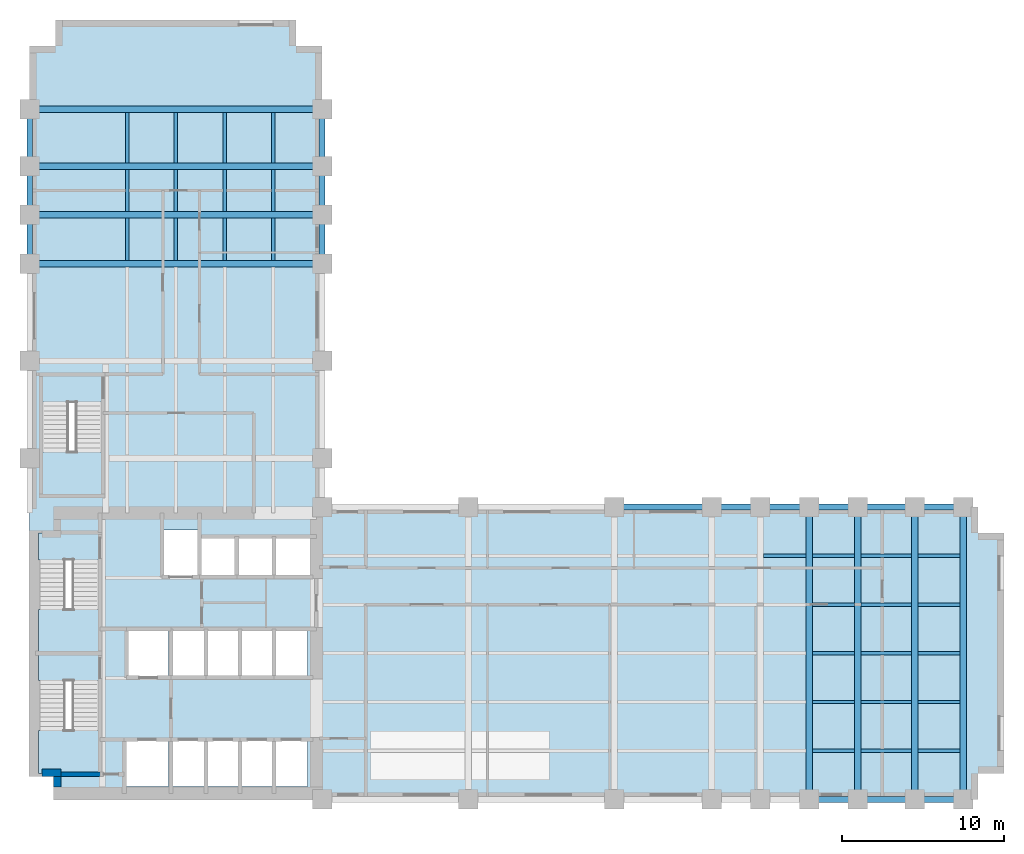
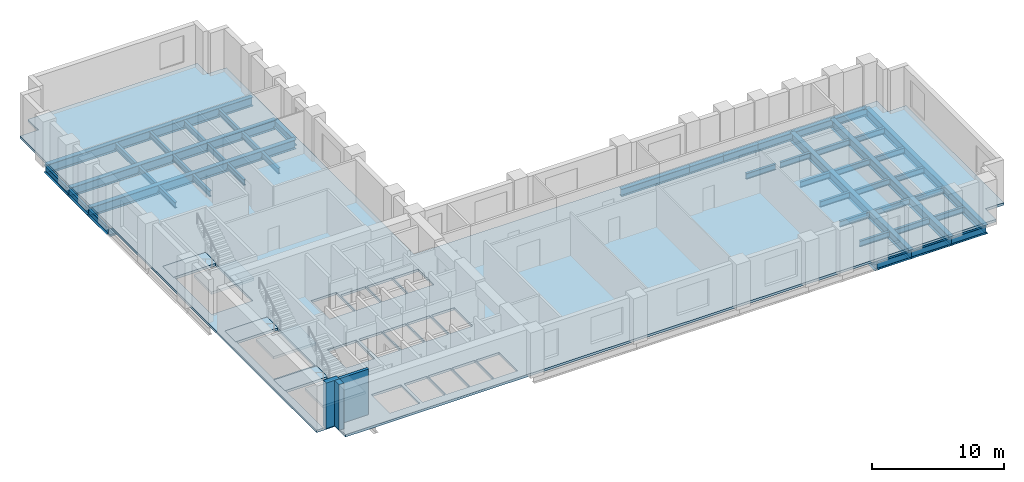
# One storey, part 2 of 7: 51 beams, 7 slabs, 3 walls, 3 elements without a shape of their own.
"""IFC4 building model written with IfcOpenShell, lengths in metres."""

from ifc_helpers import new_model, si_unit, direction, frame, frame_2d, origin, origin_2d, place, context, subcontext, project, spatial, polyline, rectangle, i_section, outline, extrude, material, layer, layer_set, material_profile, profile_set, type_object, element, aggregate, save


model = new_model("IFC4")

# Units and contexts
model_context = context("Model", 3, precision=1e-05, world=origin(), true_north=direction((0.0, 1.0)))
body_context = subcontext(model_context, "Body", "Model", "MODEL_VIEW")
ifc_project = project(units=[si_unit("LENGTHUNIT", "METRE"), si_unit("AREAUNIT", "SQUARE_METRE"), si_unit("VOLUMEUNIT", "CUBIC_METRE"), si_unit("PLANEANGLEUNIT", "RADIAN"), si_unit("MASSUNIT", "GRAM", prefix="KILO")], contexts=[model_context])

# Site, building, storey
site_placement = place(None, origin())
site = spatial("IfcSite", under=ifc_project, at=site_placement, CompositionType="ELEMENT")
building_placement = place(site_placement, origin())
building = spatial("IfcBuilding", under=site, at=building_placement, Name="Mawjdan Bourse Tower", CompositionType="ELEMENT")
storey_placement = place(building_placement, frame((0.0, 0.0, 72.0)))
storey = spatial("IfcBuildingStorey", under=building, at=storey_placement, Name="L16", CompositionType="ELEMENT", Elevation=72.0)

# Beams
ifc_material_1 = material(Name="Structural Steel S355", Category="steel")
ifc_material_profile_1 = material_profile(ifc_material_1, i_section(OverallWidth=0.39892578125, OverallDepth=0.85595703125, WebThickness=0.018310546875, FlangeThickness=0.029296875, FilletRadius=0.0234375, at=origin_2d()), Name="W33X201")
ifc_profile_set_1 = profile_set([ifc_material_profile_1], Name="Structural Steel S355")
beam_type_1 = type_object("IfcBeamType", Name="GRD-W33X201", PredefinedType="BEAM", material=ifc_profile_set_1)
for number, where, z_axis, x_axis, name in (
    (1, (54.0, 3.0, -0.64794921875), (0.0, 1.0, 0.0), (-1.0, 0.0, 0.0), "L16 East Wing Clear-Span Girder 006"),
    (2, (57.0, 3.0, -0.64794921875), (0.0, 1.0, 0.0), (-1.0, 0.0, 0.0), "L16 East Wing Clear-Span Girder 007"),
    (3, (60.5, 3.0, -0.64794921875), (0.0, 1.0, 0.0), (-1.0, 0.0, 0.0), "L16 East Wing Clear-Span Girder 008"),
    (4, (63.5, 3.0, -0.64794921875), (0.0, 1.0, 0.0), (-1.0, 0.0, 0.0), "L16 East Wing Clear-Span Girder 009"),
    (5, (6.0, 36.0, -0.64794921875), (1.0, 0.0, 0.0), (0.0, 1.0, 0.0), "L16 North Wing Clear-Span Girder 073"),
    (6, (6.0, 39.0, -0.64794921875), (1.0, 0.0, 0.0), (0.0, 1.0, 0.0), "L16 North Wing Clear-Span Girder 074"),
    (7, (6.0, 42.0, -0.64794921875), (1.0, 0.0, 0.0), (0.0, 1.0, 0.0), "L16 North Wing Clear-Span Girder 075"),
    (8, (6.0, 45.5, -0.64794921875), (1.0, 0.0, 0.0), (0.0, 1.0, 0.0), "L16 North Wing Clear-Span Girder 076"),
):
    element("IfcBeam", number, at=place(storey_placement, frame(where, z_axis=z_axis, x_axis=x_axis)), inside=storey, type_object=beam_type_1, Name=name, PredefinedType="BEAM", context=body_context, shape_type="SweptSolid", body=[
        extrude(i_section(OverallWidth=0.39892578125, OverallDepth=0.85595703125, WebThickness=0.018310546875, FlangeThickness=0.029296875, FilletRadius=0.0234375, at=origin_2d()), origin(), (0.0, 0.0, 1.0), 18.0),
    ])
ifc_material_profile_2 = material_profile(ifc_material_1, i_section(OverallWidth=0.2119140625, OverallDepth=0.5439453125, WebThickness=0.01318359375, FlangeThickness=0.021240234375, FilletRadius=0.01708984375, at=origin_2d()), Name="W21X83")
ifc_profile_set_2 = profile_set([ifc_material_profile_2], Name="Structural Steel S355")
beam_type_2 = type_object("IfcBeamType", Name="JST-W21X83", PredefinedType="JOIST", material=ifc_profile_set_2)
beam_1_placement = place(storey_placement, frame((54.197509765625, 6.0, -0.491943359375), z_axis=(1.0, 0.0, 0.0), x_axis=(0.0, 1.0, 0.0)))
element("IfcBeam", 9, at=beam_1_placement, inside=storey, type_object=beam_type_2, Name="L16 East Wing Composite Joist 031", PredefinedType="JOIST", context=body_context, shape_type="SweptSolid", body=[
    extrude(i_section(OverallWidth=0.2119140625, OverallDepth=0.5439453125, WebThickness=0.01318359375, FlangeThickness=0.021240234375, FilletRadius=0.01708984375, at=origin_2d()), origin(), (0.0, 0.0, 1.0), 2.60498046875),
])
beam_2_placement = place(storey_placement, frame((57.197509765625, 6.0, -0.491943359375), z_axis=(1.0, 0.0, 0.0), x_axis=(0.0, 1.0, 0.0)))
element("IfcBeam", 10, at=beam_2_placement, inside=storey, type_object=beam_type_2, Name="L16 East Wing Composite Joist 032", PredefinedType="JOIST", context=body_context, shape_type="SweptSolid", body=[
    extrude(i_section(OverallWidth=0.2119140625, OverallDepth=0.5439453125, WebThickness=0.01318359375, FlangeThickness=0.021240234375, FilletRadius=0.01708984375, at=origin_2d()), origin(), (0.0, 0.0, 1.0), 3.10498046875),
])
for number, where, z_axis, x_axis, name in (
    (11, (60.697509765625, 6.0, -0.491943359375), (1.0, 0.0, 0.0), (0.0, 1.0, 0.0), "L16 East Wing Composite Joist 033"),
    (12, (54.197509765625, 9.0, -0.491943359375), (1.0, 0.0, 0.0), (0.0, 1.0, 0.0), "L16 East Wing Composite Joist 039"),
):
    element("IfcBeam", number, at=place(storey_placement, frame(where, z_axis=z_axis, x_axis=x_axis)), inside=storey, type_object=beam_type_2, Name=name, PredefinedType="JOIST", context=body_context, shape_type="SweptSolid", body=[
        extrude(i_section(OverallWidth=0.2119140625, OverallDepth=0.5439453125, WebThickness=0.01318359375, FlangeThickness=0.021240234375, FilletRadius=0.01708984375, at=origin_2d()), origin(), (0.0, 0.0, 1.0), 2.60498046875),
    ])
beam_3_placement = place(storey_placement, frame((57.197509765625, 9.0, -0.491943359375), z_axis=(1.0, 0.0, 0.0), x_axis=(0.0, 1.0, 0.0)))
element("IfcBeam", 13, at=beam_3_placement, inside=storey, type_object=beam_type_2, Name="L16 East Wing Composite Joist 040", PredefinedType="JOIST", context=body_context, shape_type="SweptSolid", body=[
    extrude(i_section(OverallWidth=0.2119140625, OverallDepth=0.5439453125, WebThickness=0.01318359375, FlangeThickness=0.021240234375, FilletRadius=0.01708984375, at=origin_2d()), origin(), (0.0, 0.0, 1.0), 3.10498046875),
])
for number, where, z_axis, x_axis, name in (
    (14, (60.697509765625, 9.0, -0.491943359375), (1.0, 0.0, 0.0), (0.0, 1.0, 0.0), "L16 East Wing Composite Joist 041"),
    (15, (54.197509765625, 12.0, -0.491943359375), (1.0, 0.0, 0.0), (0.0, 1.0, 0.0), "L16 East Wing Composite Joist 047"),
):
    element("IfcBeam", number, at=place(storey_placement, frame(where, z_axis=z_axis, x_axis=x_axis)), inside=storey, type_object=beam_type_2, Name=name, PredefinedType="JOIST", context=body_context, shape_type="SweptSolid", body=[
        extrude(i_section(OverallWidth=0.2119140625, OverallDepth=0.5439453125, WebThickness=0.01318359375, FlangeThickness=0.021240234375, FilletRadius=0.01708984375, at=origin_2d()), origin(), (0.0, 0.0, 1.0), 2.60498046875),
    ])
beam_4_placement = place(storey_placement, frame((57.197509765625, 12.0, -0.491943359375), z_axis=(1.0, 0.0, 0.0), x_axis=(0.0, 1.0, 0.0)))
element("IfcBeam", 16, at=beam_4_placement, inside=storey, type_object=beam_type_2, Name="L16 East Wing Composite Joist 048", PredefinedType="JOIST", context=body_context, shape_type="SweptSolid", body=[
    extrude(i_section(OverallWidth=0.2119140625, OverallDepth=0.5439453125, WebThickness=0.01318359375, FlangeThickness=0.021240234375, FilletRadius=0.01708984375, at=origin_2d()), origin(), (0.0, 0.0, 1.0), 3.10498046875),
])
for number, where, z_axis, x_axis, name in (
    (17, (60.697509765625, 12.0, -0.491943359375), (1.0, 0.0, 0.0), (0.0, 1.0, 0.0), "L16 East Wing Composite Joist 049"),
    (18, (54.197509765625, 15.0, -0.491943359375), (1.0, 0.0, 0.0), (0.0, 1.0, 0.0), "L16 East Wing Composite Joist 055"),
):
    element("IfcBeam", number, at=place(storey_placement, frame(where, z_axis=z_axis, x_axis=x_axis)), inside=storey, type_object=beam_type_2, Name=name, PredefinedType="JOIST", context=body_context, shape_type="SweptSolid", body=[
        extrude(i_section(OverallWidth=0.2119140625, OverallDepth=0.5439453125, WebThickness=0.01318359375, FlangeThickness=0.021240234375, FilletRadius=0.01708984375, at=origin_2d()), origin(), (0.0, 0.0, 1.0), 2.60498046875),
    ])
beam_5_placement = place(storey_placement, frame((57.197509765625, 15.0, -0.491943359375), z_axis=(1.0, 0.0, 0.0), x_axis=(0.0, 1.0, 0.0)))
element("IfcBeam", 19, at=beam_5_placement, inside=storey, type_object=beam_type_2, Name="L16 East Wing Composite Joist 056", PredefinedType="JOIST", context=body_context, shape_type="SweptSolid", body=[
    extrude(i_section(OverallWidth=0.2119140625, OverallDepth=0.5439453125, WebThickness=0.01318359375, FlangeThickness=0.021240234375, FilletRadius=0.01708984375, at=origin_2d()), origin(), (0.0, 0.0, 1.0), 3.10498046875),
])
for number, where, z_axis, x_axis, name in (
    (20, (60.697509765625, 15.0, -0.491943359375), (1.0, 0.0, 0.0), (0.0, 1.0, 0.0), "L16 East Wing Composite Joist 057"),
    (21, (51.197509765625, 18.0, -0.491943359375), (1.0, 0.0, 0.0), (0.0, 1.0, 0.0), "L16 East Wing Composite Joist 062"),
    (22, (54.197509765625, 18.0, -0.491943359375), (1.0, 0.0, 0.0), (0.0, 1.0, 0.0), "L16 East Wing Composite Joist 063"),
):
    element("IfcBeam", number, at=place(storey_placement, frame(where, z_axis=z_axis, x_axis=x_axis)), inside=storey, type_object=beam_type_2, Name=name, PredefinedType="JOIST", context=body_context, shape_type="SweptSolid", body=[
        extrude(i_section(OverallWidth=0.2119140625, OverallDepth=0.5439453125, WebThickness=0.01318359375, FlangeThickness=0.021240234375, FilletRadius=0.01708984375, at=origin_2d()), origin(), (0.0, 0.0, 1.0), 2.60498046875),
    ])
beam_6_placement = place(storey_placement, frame((57.197509765625, 18.0, -0.491943359375), z_axis=(1.0, 0.0, 0.0), x_axis=(0.0, 1.0, 0.0)))
element("IfcBeam", 23, at=beam_6_placement, inside=storey, type_object=beam_type_2, Name="L16 East Wing Composite Joist 064", PredefinedType="JOIST", context=body_context, shape_type="SweptSolid", body=[
    extrude(i_section(OverallWidth=0.2119140625, OverallDepth=0.5439453125, WebThickness=0.01318359375, FlangeThickness=0.021240234375, FilletRadius=0.01708984375, at=origin_2d()), origin(), (0.0, 0.0, 1.0), 3.10498046875),
])
for number, where, z_axis, x_axis, name in (
    (24, (60.697509765625, 18.0, -0.491943359375), (1.0, 0.0, 0.0), (0.0, 1.0, 0.0), "L16 East Wing Composite Joist 065"),
    (25, (12.0, 36.197509765625, -0.491943359375), (0.0, 1.0, 0.0), (-1.0, 0.0, 0.0), "L16 North Wing Composite Joist 092"),
    (26, (12.0, 39.197509765625, -0.491943359375), (0.0, 1.0, 0.0), (-1.0, 0.0, 0.0), "L16 North Wing Composite Joist 093"),
):
    element("IfcBeam", number, at=place(storey_placement, frame(where, z_axis=z_axis, x_axis=x_axis)), inside=storey, type_object=beam_type_2, Name=name, PredefinedType="JOIST", context=body_context, shape_type="SweptSolid", body=[
        extrude(i_section(OverallWidth=0.2119140625, OverallDepth=0.5439453125, WebThickness=0.01318359375, FlangeThickness=0.021240234375, FilletRadius=0.01708984375, at=origin_2d()), origin(), (0.0, 0.0, 1.0), 2.60498046875),
    ])
beam_7_placement = place(storey_placement, frame((12.0, 42.197509765625, -0.491943359375), z_axis=(0.0, 1.0, 0.0), x_axis=(-1.0, 0.0, 0.0)))
element("IfcBeam", 27, at=beam_7_placement, inside=storey, type_object=beam_type_2, Name="L16 North Wing Composite Joist 094", PredefinedType="JOIST", context=body_context, shape_type="SweptSolid", body=[
    extrude(i_section(OverallWidth=0.2119140625, OverallDepth=0.5439453125, WebThickness=0.01318359375, FlangeThickness=0.021240234375, FilletRadius=0.01708984375, at=origin_2d()), origin(), (0.0, 0.0, 1.0), 3.10498046875),
])
for number, where, z_axis, x_axis, name in (
    (28, (15.0, 36.197509765625, -0.491943359375), (0.0, 1.0, 0.0), (-1.0, 0.0, 0.0), "L16 North Wing Composite Joist 098"),
    (29, (15.0, 39.197509765625, -0.491943359375), (0.0, 1.0, 0.0), (-1.0, 0.0, 0.0), "L16 North Wing Composite Joist 099"),
):
    element("IfcBeam", number, at=place(storey_placement, frame(where, z_axis=z_axis, x_axis=x_axis)), inside=storey, type_object=beam_type_2, Name=name, PredefinedType="JOIST", context=body_context, shape_type="SweptSolid", body=[
        extrude(i_section(OverallWidth=0.2119140625, OverallDepth=0.5439453125, WebThickness=0.01318359375, FlangeThickness=0.021240234375, FilletRadius=0.01708984375, at=origin_2d()), origin(), (0.0, 0.0, 1.0), 2.60498046875),
    ])
beam_8_placement = place(storey_placement, frame((15.0, 42.197509765625, -0.491943359375), z_axis=(0.0, 1.0, 0.0), x_axis=(-1.0, 0.0, 0.0)))
element("IfcBeam", 30, at=beam_8_placement, inside=storey, type_object=beam_type_2, Name="L16 North Wing Composite Joist 100", PredefinedType="JOIST", context=body_context, shape_type="SweptSolid", body=[
    extrude(i_section(OverallWidth=0.2119140625, OverallDepth=0.5439453125, WebThickness=0.01318359375, FlangeThickness=0.021240234375, FilletRadius=0.01708984375, at=origin_2d()), origin(), (0.0, 0.0, 1.0), 3.10498046875),
])
for number, where, z_axis, x_axis, name in (
    (31, (18.0, 36.197509765625, -0.491943359375), (0.0, 1.0, 0.0), (-1.0, 0.0, 0.0), "L16 North Wing Composite Joist 104"),
    (32, (18.0, 39.197509765625, -0.491943359375), (0.0, 1.0, 0.0), (-1.0, 0.0, 0.0), "L16 North Wing Composite Joist 105"),
):
    element("IfcBeam", number, at=place(storey_placement, frame(where, z_axis=z_axis, x_axis=x_axis)), inside=storey, type_object=beam_type_2, Name=name, PredefinedType="JOIST", context=body_context, shape_type="SweptSolid", body=[
        extrude(i_section(OverallWidth=0.2119140625, OverallDepth=0.5439453125, WebThickness=0.01318359375, FlangeThickness=0.021240234375, FilletRadius=0.01708984375, at=origin_2d()), origin(), (0.0, 0.0, 1.0), 2.60498046875),
    ])
beam_9_placement = place(storey_placement, frame((18.0, 42.197509765625, -0.491943359375), z_axis=(0.0, 1.0, 0.0), x_axis=(-1.0, 0.0, 0.0)))
element("IfcBeam", 33, at=beam_9_placement, inside=storey, type_object=beam_type_2, Name="L16 North Wing Composite Joist 106", PredefinedType="JOIST", context=body_context, shape_type="SweptSolid", body=[
    extrude(i_section(OverallWidth=0.2119140625, OverallDepth=0.5439453125, WebThickness=0.01318359375, FlangeThickness=0.021240234375, FilletRadius=0.01708984375, at=origin_2d()), origin(), (0.0, 0.0, 1.0), 3.10498046875),
])
for number, where, z_axis, x_axis, name in (
    (34, (21.0, 36.197509765625, -0.491943359375), (0.0, 1.0, 0.0), (-1.0, 0.0, 0.0), "L16 North Wing Composite Joist 110"),
    (35, (21.0, 39.197509765625, -0.491943359375), (0.0, 1.0, 0.0), (-1.0, 0.0, 0.0), "L16 North Wing Composite Joist 111"),
):
    element("IfcBeam", number, at=place(storey_placement, frame(where, z_axis=z_axis, x_axis=x_axis)), inside=storey, type_object=beam_type_2, Name=name, PredefinedType="JOIST", context=body_context, shape_type="SweptSolid", body=[
        extrude(i_section(OverallWidth=0.2119140625, OverallDepth=0.5439453125, WebThickness=0.01318359375, FlangeThickness=0.021240234375, FilletRadius=0.01708984375, at=origin_2d()), origin(), (0.0, 0.0, 1.0), 2.60498046875),
    ])
beam_10_placement = place(storey_placement, frame((21.0, 42.197509765625, -0.491943359375), z_axis=(0.0, 1.0, 0.0), x_axis=(-1.0, 0.0, 0.0)))
element("IfcBeam", 36, at=beam_10_placement, inside=storey, type_object=beam_type_2, Name="L16 North Wing Composite Joist 112", PredefinedType="JOIST", context=body_context, shape_type="SweptSolid", body=[
    extrude(i_section(OverallWidth=0.2119140625, OverallDepth=0.5439453125, WebThickness=0.01318359375, FlangeThickness=0.021240234375, FilletRadius=0.01708984375, at=origin_2d()), origin(), (0.0, 0.0, 1.0), 3.10498046875),
])
ifc_material_profile_3 = material_profile(ifc_material_1, i_section(OverallWidth=0.35498046875, OverallDepth=0.696044921875, WebThickness=0.015380859375, FlangeThickness=0.02490234375, FilletRadius=0.019775390625, at=origin_2d()), Name="W27X146")
ifc_profile_set_3 = profile_set([ifc_material_profile_3], Name="Structural Steel S355")
beam_type_3 = type_object("IfcBeamType", Name="SPN-W27X146", PredefinedType="SPANDREL", material=ifc_profile_set_3)
beam_11_placement = place(storey_placement, frame((54.0, 3.0, -0.568115234375), z_axis=(1.0, 0.0, 0.0), x_axis=(0.0, 1.0, 0.0)))
element("IfcBeam", 37, at=beam_11_placement, inside=storey, type_object=beam_type_3, Name="L16 Perimeter Masonry-Shelf Spandrel 015", PredefinedType="SPANDREL", context=body_context, shape_type="SweptSolid", body=[
    extrude(i_section(OverallWidth=0.35498046875, OverallDepth=0.696044921875, WebThickness=0.015380859375, FlangeThickness=0.02490234375, FilletRadius=0.019775390625, at=origin_2d()), origin(), (0.0, 0.0, 1.0), 3.0),
])
beam_12_placement = place(storey_placement, frame((57.0, 3.0, -0.568115234375), z_axis=(1.0, 0.0, 0.0), x_axis=(0.0, 1.0, 0.0)))
element("IfcBeam", 38, at=beam_12_placement, inside=storey, type_object=beam_type_3, Name="L16 Perimeter Masonry-Shelf Spandrel 016", PredefinedType="SPANDREL", context=body_context, shape_type="SweptSolid", body=[
    extrude(i_section(OverallWidth=0.35498046875, OverallDepth=0.696044921875, WebThickness=0.015380859375, FlangeThickness=0.02490234375, FilletRadius=0.019775390625, at=origin_2d()), origin(), (0.0, 0.0, 1.0), 3.5),
])
beam_13_placement = place(storey_placement, frame((60.5, 3.0, -0.568115234375), z_axis=(1.0, 0.0, 0.0), x_axis=(0.0, 1.0, 0.0)))
element("IfcBeam", 39, at=beam_13_placement, inside=storey, type_object=beam_type_3, Name="L16 Perimeter Masonry-Shelf Spandrel 017", PredefinedType="SPANDREL", context=body_context, shape_type="SweptSolid", body=[
    extrude(i_section(OverallWidth=0.35498046875, OverallDepth=0.696044921875, WebThickness=0.015380859375, FlangeThickness=0.02490234375, FilletRadius=0.019775390625, at=origin_2d()), origin(), (0.0, 0.0, 1.0), 3.0),
])
beam_14_placement = place(storey_placement, frame((42.0, 21.0, -0.568115234375), z_axis=(1.0, 0.0, 0.0), x_axis=(0.0, 1.0, 0.0)))
element("IfcBeam", 40, at=beam_14_placement, inside=storey, type_object=beam_type_3, Name="L16 Perimeter Masonry-Shelf Spandrel 020", PredefinedType="SPANDREL", context=body_context, shape_type="SweptSolid", body=[
    extrude(i_section(OverallWidth=0.35498046875, OverallDepth=0.696044921875, WebThickness=0.015380859375, FlangeThickness=0.02490234375, FilletRadius=0.019775390625, at=origin_2d()), origin(), (0.0, 0.0, 1.0), 6.0),
])
for number, where, z_axis, x_axis, name in (
    (41, (48.0, 21.0, -0.568115234375), (1.0, 0.0, 0.0), (0.0, 1.0, 0.0), "L16 Perimeter Masonry-Shelf Spandrel 021"),
    (42, (51.0, 21.0, -0.568115234375), (1.0, 0.0, 0.0), (0.0, 1.0, 0.0), "L16 Perimeter Masonry-Shelf Spandrel 022"),
    (43, (54.0, 21.0, -0.568115234375), (1.0, 0.0, 0.0), (0.0, 1.0, 0.0), "L16 Perimeter Masonry-Shelf Spandrel 023"),
):
    element("IfcBeam", number, at=place(storey_placement, frame(where, z_axis=z_axis, x_axis=x_axis)), inside=storey, type_object=beam_type_3, Name=name, PredefinedType="SPANDREL", context=body_context, shape_type="SweptSolid", body=[
        extrude(i_section(OverallWidth=0.35498046875, OverallDepth=0.696044921875, WebThickness=0.015380859375, FlangeThickness=0.02490234375, FilletRadius=0.019775390625, at=origin_2d()), origin(), (0.0, 0.0, 1.0), 3.0),
    ])
beam_15_placement = place(storey_placement, frame((57.0, 21.0, -0.568115234375), z_axis=(1.0, 0.0, 0.0), x_axis=(0.0, 1.0, 0.0)))
element("IfcBeam", 44, at=beam_15_placement, inside=storey, type_object=beam_type_3, Name="L16 Perimeter Masonry-Shelf Spandrel 024", PredefinedType="SPANDREL", context=body_context, shape_type="SweptSolid", body=[
    extrude(i_section(OverallWidth=0.35498046875, OverallDepth=0.696044921875, WebThickness=0.015380859375, FlangeThickness=0.02490234375, FilletRadius=0.019775390625, at=origin_2d()), origin(), (0.0, 0.0, 1.0), 3.5),
])
for number, where, z_axis, x_axis, name in (
    (45, (60.5, 21.0, -0.568115234375), (1.0, 0.0, 0.0), (0.0, 1.0, 0.0), "L16 Perimeter Masonry-Shelf Spandrel 025"),
    (46, (6.0, 36.0, -0.568115234375), (0.0, 1.0, 0.0), (-1.0, 0.0, 0.0), "L16 North Wing Spandrel 080"),
    (47, (6.0, 39.0, -0.568115234375), (0.0, 1.0, 0.0), (-1.0, 0.0, 0.0), "L16 North Wing Spandrel 081"),
):
    element("IfcBeam", number, at=place(storey_placement, frame(where, z_axis=z_axis, x_axis=x_axis)), inside=storey, type_object=beam_type_3, Name=name, PredefinedType="SPANDREL", context=body_context, shape_type="SweptSolid", body=[
        extrude(i_section(OverallWidth=0.35498046875, OverallDepth=0.696044921875, WebThickness=0.015380859375, FlangeThickness=0.02490234375, FilletRadius=0.019775390625, at=origin_2d()), origin(), (0.0, 0.0, 1.0), 3.0),
    ])
beam_16_placement = place(storey_placement, frame((6.0, 42.0, -0.568115234375), z_axis=(0.0, 1.0, 0.0), x_axis=(-1.0, 0.0, 0.0)))
element("IfcBeam", 48, at=beam_16_placement, inside=storey, type_object=beam_type_3, Name="L16 North Wing Spandrel 082", PredefinedType="SPANDREL", context=body_context, shape_type="SweptSolid", body=[
    extrude(i_section(OverallWidth=0.35498046875, OverallDepth=0.696044921875, WebThickness=0.015380859375, FlangeThickness=0.02490234375, FilletRadius=0.019775390625, at=origin_2d()), origin(), (0.0, 0.0, 1.0), 3.5),
])
for number, where, z_axis, x_axis, name in (
    (49, (24.0, 36.0, -0.568115234375), (0.0, 1.0, 0.0), (-1.0, 0.0, 0.0), "L16 North Wing Spandrel 086"),
    (50, (24.0, 39.0, -0.568115234375), (0.0, 1.0, 0.0), (-1.0, 0.0, 0.0), "L16 North Wing Spandrel 087"),
):
    element("IfcBeam", number, at=place(storey_placement, frame(where, z_axis=z_axis, x_axis=x_axis)), inside=storey, type_object=beam_type_3, Name=name, PredefinedType="SPANDREL", context=body_context, shape_type="SweptSolid", body=[
        extrude(i_section(OverallWidth=0.35498046875, OverallDepth=0.696044921875, WebThickness=0.015380859375, FlangeThickness=0.02490234375, FilletRadius=0.019775390625, at=origin_2d()), origin(), (0.0, 0.0, 1.0), 3.0),
    ])
beam_17_placement = place(storey_placement, frame((24.0, 42.0, -0.568115234375), z_axis=(0.0, 1.0, 0.0), x_axis=(-1.0, 0.0, 0.0)))
element("IfcBeam", 51, at=beam_17_placement, inside=storey, type_object=beam_type_3, Name="L16 North Wing Spandrel 088", PredefinedType="SPANDREL", context=body_context, shape_type="SweptSolid", body=[
    extrude(i_section(OverallWidth=0.35498046875, OverallDepth=0.696044921875, WebThickness=0.015380859375, FlangeThickness=0.02490234375, FilletRadius=0.019775390625, at=origin_2d()), origin(), (0.0, 0.0, 1.0), 3.5),
])

# Stair, slabs
ifc_material_2 = material(Name="Concrete C50/60", Category="concrete")
stair_type = type_object("IfcStairType", Name="STR-CORE-1500", PredefinedType="HALF_TURN_STAIR", material=ifc_material_2)
stair_1_placement = place(storey_placement, origin())
stair_1 = element("IfcStair", 52, at=stair_1_placement, inside=storey, type_object=stair_type, Name="L16 Exit Stair 1 (Core South-West)", PredefinedType="HALF_TURN_STAIR")
ifc_layer_1 = layer(ifc_material_2, 0.22998046875)
ifc_layer_set_1 = layer_set([ifc_layer_1], Name="Concrete C50/60")
slab_type_1 = type_object("IfcSlabType", Name="SL-LND-230", PredefinedType="LANDING", material=ifc_layer_set_1)
slab_1_placement = place(storey_placement, frame((0.0, 0.0, -0.22998046875)))
slab_1 = element("IfcSlab", 53, at=slab_1_placement, type_object=slab_type_1, Name="ST1-L16 landing 1", PredefinedType="LANDING", context=body_context, shape_type="SweptSolid", body=[
    extrude(outline(polyline([(6.5400390625, 10.31005859375), (10.260009765625, 10.31005859375), (10.260009765625, 11.969970703125), (6.5400390625, 11.969970703125), (6.5400390625, 10.31005859375)])), origin(), (0.0, 0.0, 1.0), 0.22998046875),
])
slab_2_placement = place(storey_placement, frame((0.0, 0.0, 1.8701171875)))
slab_2 = element("IfcSlab", 54, at=slab_2_placement, type_object=slab_type_1, Name="ST1-L16 landing 2", PredefinedType="LANDING", context=body_context, shape_type="SweptSolid", body=[
    extrude(outline(polyline([(6.5400390625, 4.590087890625), (10.260009765625, 4.590087890625), (10.260009765625, 7.2548828125), (6.5400390625, 7.2548828125), (6.5400390625, 4.590087890625)])), origin(), (0.0, 0.0, 1.0), 0.22998046875),
])
aggregate(stair_1, [slab_1, slab_2])

stair_2_placement = place(storey_placement, origin())
stair_2 = element("IfcStair", 55, at=stair_2_placement, inside=storey, type_object=stair_type, Name="L16 Exit Stair 2 (Core North-West)", PredefinedType="HALF_TURN_STAIR")
slab_3_placement = place(storey_placement, frame((0.0, 0.0, -0.22998046875)))
slab_3 = element("IfcSlab", 56, at=slab_3_placement, type_object=slab_type_1, Name="ST2-L16 landing 1", PredefinedType="LANDING", context=body_context, shape_type="SweptSolid", body=[
    extrude(outline(polyline([(6.5400390625, 17.75), (10.260009765625, 17.75), (10.260009765625, 19.409912109375), (6.5400390625, 19.409912109375), (6.5400390625, 17.75)])), origin(), (0.0, 0.0, 1.0), 0.22998046875),
])
slab_4_placement = place(storey_placement, frame((0.0, 0.0, 1.8701171875)))
slab_4 = element("IfcSlab", 57, at=slab_4_placement, type_object=slab_type_1, Name="ST2-L16 landing 2", PredefinedType="LANDING", context=body_context, shape_type="SweptSolid", body=[
    extrude(outline(polyline([(6.5400390625, 12.030029296875), (10.260009765625, 12.030029296875), (10.260009765625, 14.695068359375), (6.5400390625, 14.695068359375), (6.5400390625, 12.030029296875)])), origin(), (0.0, 0.0, 1.0), 0.22998046875),
])
aggregate(stair_2, [slab_3, slab_4])

stair_3_placement = place(storey_placement, origin())
stair_3 = element("IfcStair", 58, at=stair_3_placement, inside=storey, type_object=stair_type, Name="L16 Exit Stair 3 (North Wing)", PredefinedType="HALF_TURN_STAIR")
slab_5_placement = place(storey_placement, frame((0.0, 0.0, -0.22998046875)))
slab_5 = element("IfcSlab", 59, at=slab_5_placement, type_object=slab_type_1, Name="ST3-L16 landing 1", PredefinedType="LANDING", context=body_context, shape_type="SweptSolid", body=[
    extrude(outline(polyline([(6.739990234375, 27.4599609375), (10.4599609375, 27.4599609375), (10.4599609375, 29.1201171875), (6.739990234375, 29.1201171875), (6.739990234375, 27.4599609375)])), origin(), (0.0, 0.0, 1.0), 0.22998046875),
])
slab_6_placement = place(storey_placement, frame((0.0, 0.0, 1.8701171875)))
slab_6 = element("IfcSlab", 60, at=slab_6_placement, type_object=slab_type_1, Name="ST3-L16 landing 2", PredefinedType="LANDING", context=body_context, shape_type="SweptSolid", body=[
    extrude(outline(polyline([(6.739990234375, 21.739990234375), (10.4599609375, 21.739990234375), (10.4599609375, 24.405029296875), (6.739990234375, 24.405029296875), (6.739990234375, 21.739990234375)])), origin(), (0.0, 0.0, 1.0), 0.22998046875),
])
aggregate(stair_3, [slab_5, slab_6])

# Slab
ifc_layer_2 = layer(ifc_material_2, 0.219970703125)
ifc_layer_set_2 = layer_set([ifc_layer_2], Name="Concrete C50/60")
slab_type_2 = type_object("IfcSlabType", Name="SL-TRD-220", PredefinedType="FLOOR", material=ifc_layer_set_2)
slab_7_placement = place(storey_placement, frame((0.0, 0.0, -0.219970703125)))
element("IfcSlab", 61, at=slab_7_placement, inside=storey, type_object=slab_type_2, Name="L16 Structural Floor Slab 1", PredefinedType="FLOOR", context=body_context, shape_type="SweptSolid", body=[
    extrude(outline(polyline([(7.60009765625, 3.0), (64.39990234375, 3.0), (64.39990234375, 4.60009765625), (66.0, 4.60009765625), (66.0, 19.39990234375), (64.39990234375, 19.39990234375), (64.39990234375, 21.0), (24.0, 21.0), (24.0, 49.39990234375), (22.39990234375, 49.39990234375), (22.39990234375, 51.0), (7.60009765625, 51.0), (7.60009765625, 49.39990234375), (6.0, 49.39990234375), (6.0, 4.60009765625), (7.60009765625, 4.60009765625), (7.60009765625, 3.0)]), holes=[polyline([(11.949951171875, 3.800048828125), (11.949951171875, 6.60009765625), (14.550048828125, 6.60009765625), (14.550048828125, 3.800048828125), (11.949951171875, 3.800048828125)]), polyline([(14.800048828125, 3.800048828125), (14.800048828125, 6.60009765625), (16.800048828125, 6.60009765625), (16.800048828125, 3.800048828125), (14.800048828125, 3.800048828125)]), polyline([(10.260009765625, 11.969970703125), (10.260009765625, 10.31005859375), (10.199951171875, 10.31005859375), (10.199951171875, 4.64990234375), (6.60009765625, 4.64990234375), (6.60009765625, 10.31005859375), (6.5400390625, 10.31005859375), (6.5400390625, 11.969970703125), (10.260009765625, 11.969970703125)]), polyline([(12.050048828125, 13.39990234375), (14.550048828125, 13.39990234375), (14.550048828125, 10.60009765625), (12.050048828125, 10.60009765625), (12.050048828125, 13.39990234375)]), polyline([(6.60009765625, 17.75), (6.5400390625, 17.75), (6.5400390625, 19.409912109375), (10.260009765625, 19.409912109375), (10.260009765625, 17.75), (10.199951171875, 17.75), (10.199951171875, 12.090087890625), (6.60009765625, 12.090087890625), (6.60009765625, 17.75)]), polyline([(14.199951171875, 16.800048828125), (14.199951171875, 19.60009765625), (16.39990234375, 19.60009765625), (16.39990234375, 16.800048828125), (14.199951171875, 16.800048828125)]), polyline([(10.4599609375, 27.4599609375), (10.39990234375, 27.4599609375), (10.39990234375, 21.800048828125), (6.800048828125, 21.800048828125), (6.800048828125, 27.4599609375), (6.739990234375, 27.4599609375), (6.739990234375, 29.1201171875), (10.4599609375, 29.1201171875), (10.4599609375, 27.4599609375)]), polyline([(16.89990234375, 3.800048828125), (16.89990234375, 6.60009765625), (18.89990234375, 6.60009765625), (18.89990234375, 3.800048828125), (16.89990234375, 3.800048828125)]), polyline([(19.0, 3.800048828125), (19.0, 6.60009765625), (21.0, 6.60009765625), (21.0, 3.800048828125), (19.0, 3.800048828125)]), polyline([(21.10009765625, 3.800048828125), (21.10009765625, 6.60009765625), (23.10009765625, 6.60009765625), (23.10009765625, 3.800048828125), (21.10009765625, 3.800048828125)]), polyline([(14.800048828125, 13.39990234375), (16.800048828125, 13.39990234375), (16.800048828125, 10.60009765625), (14.800048828125, 10.60009765625), (14.800048828125, 13.39990234375)]), polyline([(16.89990234375, 13.39990234375), (18.89990234375, 13.39990234375), (18.89990234375, 10.60009765625), (16.89990234375, 10.60009765625), (16.89990234375, 13.39990234375)]), polyline([(19.0, 10.60009765625), (19.0, 13.39990234375), (21.0, 13.39990234375), (21.0, 10.60009765625), (19.0, 10.60009765625)]), polyline([(21.10009765625, 10.60009765625), (21.10009765625, 13.39990234375), (23.10009765625, 13.39990234375), (23.10009765625, 10.60009765625), (21.10009765625, 10.60009765625)]), polyline([(16.5, 16.800048828125), (16.5, 19.14990234375), (18.699951171875, 19.14990234375), (18.699951171875, 16.800048828125), (16.5, 16.800048828125)]), polyline([(18.800048828125, 19.14990234375), (21.0, 19.14990234375), (21.0, 16.800048828125), (18.800048828125, 16.800048828125), (18.800048828125, 19.14990234375)]), polyline([(21.10009765625, 19.14990234375), (23.300048828125, 19.14990234375), (23.300048828125, 16.800048828125), (21.10009765625, 16.800048828125), (21.10009765625, 19.14990234375)])]), origin(), (0.0, 0.0, 1.0), 0.219970703125),
])

# Walls
ifc_material_3 = material(Name="Concrete C60/75", Category="concrete")
ifc_layer_3 = layer(ifc_material_3, 0.449951171875)
ifc_layer_set_3 = layer_set([ifc_layer_3], Name="Concrete C60/75")
wall_type_1 = type_object("IfcWallType", Name="WL-CORE-450", PredefinedType="SHEAR", material=ifc_layer_set_3)
wall_1_placement = place(storey_placement, frame((6.75, 4.64990234375, 0.0), z_axis=(0.0, 0.0, 1.0), x_axis=(1.0, 0.0, 0.0)))
element("IfcWall", 62, at=wall_1_placement, inside=storey, type_object=wall_type_1, Name="L16 Rear Core Shear Wall SW-X", PredefinedType="SHEAR", context=body_context, shape_type="SweptSolid", body=[
    extrude(rectangle(XDim=1.175048828125, YDim=0.449951171875, at=frame_2d((0.58740234375, 0.0))), origin(), (0.0, 0.0, 1.0), 4.199951171875),
])
wall_2_placement = place(storey_placement, frame((7.699951171875, 3.75, 0.0), z_axis=(0.0, 0.0, 1.0), x_axis=(0.0, 1.0, 0.0)))
element("IfcWall", 63, at=wall_2_placement, inside=storey, type_object=wall_type_1, Name="L16 Rear Core Shear Wall SW-Y", PredefinedType="SHEAR", context=body_context, shape_type="SweptSolid", body=[
    extrude(rectangle(XDim=0.675048828125, YDim=0.449951171875, at=frame_2d((0.33740234375, 0.0))), origin(), (0.0, 0.0, 1.0), 4.199951171875),
])
ifc_layer_4 = layer(ifc_material_2, 0.25)
ifc_layer_set_4 = layer_set([ifc_layer_4], Name="Concrete C50/60")
wall_type_2 = type_object("IfcWallType", Name="WL-STRW-250", PredefinedType="SHEAR", material=ifc_layer_set_4)
wall_3_placement = place(storey_placement, frame((7.699951171875, 4.550048828125, 0.0), z_axis=(0.0, 0.0, 1.0), x_axis=(1.0, 0.0, 0.0)))
element("IfcWall", 64, at=wall_3_placement, inside=storey, type_object=wall_type_2, Name="L16 Stairwell ST1 South Shaft Wall", PredefinedType="SHEAR", context=body_context, shape_type="SweptSolid", body=[
    extrude(rectangle(XDim=2.755126953125, YDim=0.25, at=frame_2d((1.37744140625, 0.0))), origin(), (0.0, 0.0, 1.0), 4.199951171875),
])

save(model, "model.ifc")
